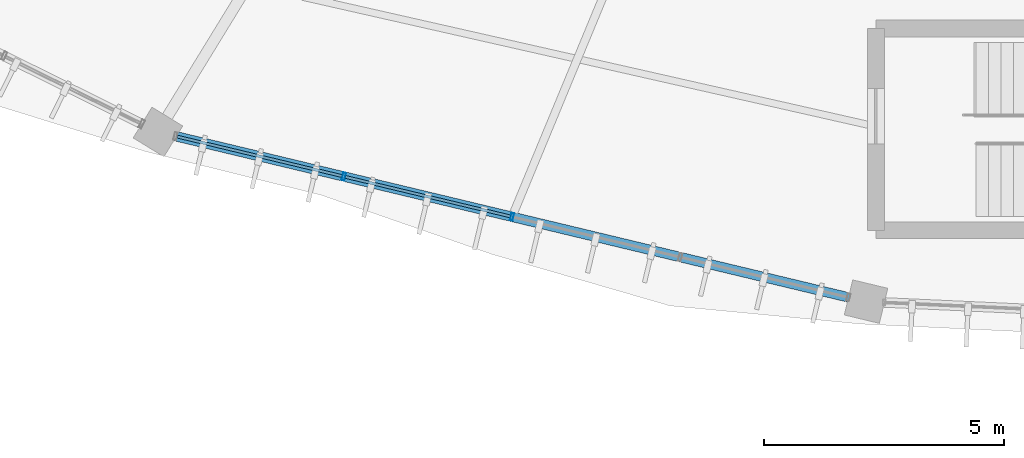
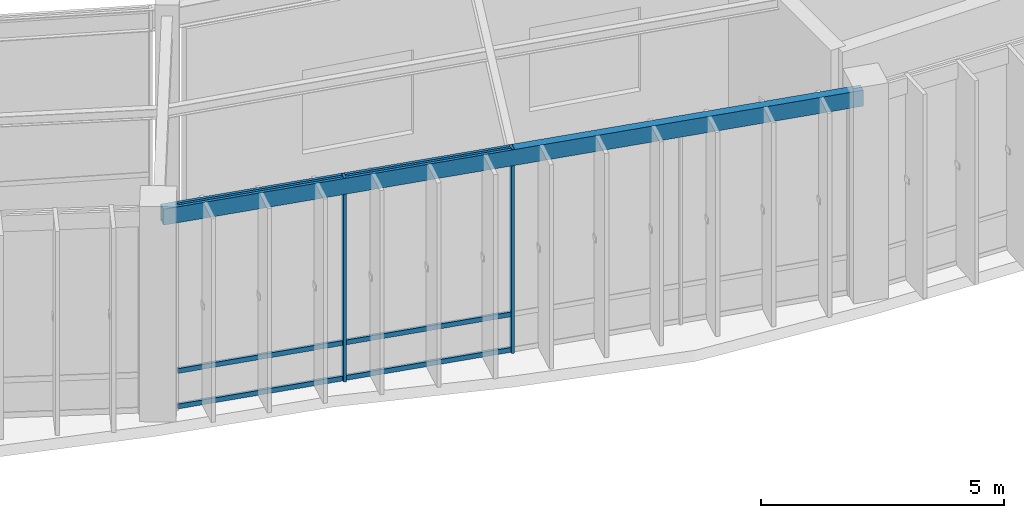
# One storey, part 56 of 157: 8 members, 1 beam, 1 element without a shape of its own.
"""IFC4 building model written with IfcOpenShell, lengths in metres."""

import ifcopenshell
import ifcopenshell.guid

model = None  # the IFC model being written
_history = None  # IfcOwnerHistory: only IFC2X3 demands one
_inside = {}  # id of a spatial element -> (the spatial element, [elements in it])
_under = {}  # id of a project, library or spatial element -> (it, [spatial elements below it])
_declared = {}  # id of a project -> (the project, [libraries it declares])
_typed = {}  # id of a type object -> (the type object, [elements of that type])
_made_of = {}  # id of a material, layer set ... -> (it, [elements and type objects made of it])


def new_model(schema):
    """Start an empty IFC model of exactly this schema.

    Asked for "IFC4X3", IfcOpenShell would pick the latest addendum, in which some entities
    have other attributes; the version numbers below select the first issue.
    IFC2X3 requires an IfcOwnerHistory on every rooted entity: one is made here for all.
    """
    global model, _history
    if schema == "IFC4X3":
        model = ifcopenshell.file(schema_version=(4, 3, 0, 0))
    else:
        model = ifcopenshell.file(schema=schema)
    _inside.clear()
    _under.clear()
    _declared.clear()
    _typed.clear()
    _made_of.clear()
    _history = None
    if model.schema == "IFC2X3":
        org = make("IfcOrganization", Name="unknown")
        user = make(
            "IfcPersonAndOrganization",
            ThePerson=make("IfcPerson", FamilyName="unknown"),
            TheOrganization=org,
        )
        app = make(
            "IfcApplication",
            ApplicationDeveloper=org,
            Version="unknown",
            ApplicationFullName="unknown",
            ApplicationIdentifier="unknown",
        )
        _history = make(
            "IfcOwnerHistory",
            OwningUser=user,
            OwningApplication=app,
            ChangeAction="ADDED",
            CreationDate=0,
        )
    return model


def make(cls, **values):
    """One entity of the class cls with the attributes given. An attribute that is None is left unset."""
    return model.create_entity(
        cls, **{name: value for name, value in values.items() if value is not None}
    )


def rooted(cls, **values):
    """An entity with a GlobalId (a new one), such as an element, a storey or a relation."""
    return make(cls, GlobalId=ifcopenshell.guid.new(), OwnerHistory=_history, **values)


def si_unit(unit_type, name, prefix=None):
    """IfcSIUnit, for example si_unit("LENGTHUNIT", "METRE", prefix="MILLI")."""
    return make("IfcSIUnit", UnitType=unit_type, Prefix=prefix, Name=name)


def assignment(units):
    """IfcUnitAssignment: the units of a project."""
    return None if units is None else make("IfcUnitAssignment", Units=units)


def point(xyz):
    """IfcCartesianPoint."""
    return None if xyz is None else make("IfcCartesianPoint", Coordinates=xyz)


def direction(xyz):
    """IfcDirection."""
    return None if xyz is None else make("IfcDirection", DirectionRatios=xyz)


def frame(location, z_axis=None, x_axis=None):
    """IfcAxis2Placement3D, a coordinate frame: its origin and axes. An axis left out is left unset."""
    return make(
        "IfcAxis2Placement3D",
        Location=point(location),
        Axis=direction(z_axis),
        RefDirection=direction(x_axis),
    )


def frame_2d(location, x_axis=None):
    """IfcAxis2Placement2D, a coordinate frame in the plane: its origin and x axis."""
    return make(
        "IfcAxis2Placement2D", Location=point(location), RefDirection=direction(x_axis)
    )


def origin():
    """The frame at (0, 0, 0) with its axes left unset."""
    return frame((0.0, 0.0, 0.0))


def origin_2d():
    """The frame at (0, 0) in the plane with its x axis left unset."""
    return frame_2d((0.0, 0.0))


def place(relative_to, where):
    """IfcLocalPlacement: puts the frame where relative to a parent placement (None: the world)."""
    return make(
        "IfcLocalPlacement", PlacementRelTo=relative_to, RelativePlacement=where
    )


def context(
    kind, dimensions, precision=None, world=None, true_north=None, identifier=None
):
    """IfcGeometricRepresentationContext, for example the 3D "Model" context."""
    return make(
        "IfcGeometricRepresentationContext",
        ContextIdentifier=identifier,
        ContextType=kind,
        CoordinateSpaceDimension=dimensions,
        Precision=precision,
        WorldCoordinateSystem=world,
        TrueNorth=true_north,
    )


def subcontext(parent, identifier, kind, view, scale=None):
    """IfcGeometricRepresentationSubContext, for example "Body" below "Model"."""
    return make(
        "IfcGeometricRepresentationSubContext",
        ContextIdentifier=identifier,
        ContextType=kind,
        ParentContext=parent,
        TargetScale=scale,
        TargetView=view,
    )


def project(units=None, contexts=None):
    """IfcProject with its units and contexts."""
    return rooted(
        "IfcProject",
        Name="project",
        RepresentationContexts=contexts,
        UnitsInContext=assignment(units),
    )


def spatial(cls, under=None, at=None, **own):
    """A site, building, storey or space (cls), placed at a placement, below another one or the project."""
    s = rooted(cls, ObjectPlacement=at, **own)
    if under is not None:
        _under.setdefault(under.id(), (under, []))[1].append(s)
    return s


def profile(cls, at=None, kind="AREA", **sizes):
    """A parametric profile (cls). Its sizes go by their IFC names, for example OverallWidth=200.0."""
    return make(cls, ProfileType=kind, Position=at, **sizes)


def hollow_rectangle(**sizes):
    """IfcRectangleHollowProfileDef."""
    return profile("IfcRectangleHollowProfileDef", **sizes)


def extrude(swept, where, along, depth):
    """IfcExtrudedAreaSolid: the profile swept, set in the frame where, extruded along a direction by depth."""
    return make(
        "IfcExtrudedAreaSolid",
        SweptArea=swept,
        Position=where,
        ExtrudedDirection=direction(along),
        Depth=depth,
    )


def shape(context_of_items, identifier, shape_type, items):
    """IfcShapeRepresentation: the items that make up one representation, for example the "Body"."""
    return make(
        "IfcShapeRepresentation",
        ContextOfItems=context_of_items,
        RepresentationIdentifier=identifier,
        RepresentationType=shape_type,
        Items=items,
    )


def material(Name=None, Category=None):
    """IfcMaterial."""
    return make("IfcMaterial", Name=Name, Category=Category)


def material_profile(
    of_material, cross_section, Name=None, Category=None, Priority=None
):
    """IfcMaterialProfile: a cross section and its material."""
    return make(
        "IfcMaterialProfile",
        Name=Name,
        Material=of_material,
        Profile=cross_section,
        Priority=Priority,
        Category=Category,
    )


def profile_set(profiles, Name=None, composite=None):
    """IfcMaterialProfileSet."""
    return make(
        "IfcMaterialProfileSet",
        Name=Name,
        MaterialProfiles=profiles,
        CompositeProfile=composite,
    )


def made_of(thing, what):
    """Note that an element or type object is made of a material, layer set ...; save() writes the relation."""
    if what is not None:
        _made_of.setdefault(what.id(), (what, []))[1].append(thing)
    return thing


def type_object(cls, material=None, **own):
    """A type object (cls), such as IfcWallType, which elements share."""
    return made_of(rooted(cls, **own), material)


def element(
    cls,
    number,
    at=None,
    inside=None,
    cuts=None,
    type_object=None,
    material=None,
    context=None,
    identifier="Body",
    shape_type=None,
    held_by="IfcProductDefinitionShape",
    body=None,
    shapes=None,
    **own,
):
    """One element of the class cls, such as IfcWall. Its Tag is "e" and its number.

    at: its placement. inside: the storey or other place that contains it. cuts: it is an
    opening in that element (IfcRelVoidsElement). A single representation is given by context,
    identifier, shape_type and body (its items); several are given by shapes. held_by: the class
    of the entity that holds the representations. save() writes the other relations.
    """
    e = rooted(cls, Tag="e%d" % number, ObjectPlacement=at, **own)
    if body is not None:
        shapes = [shape(context, identifier, shape_type, body)]
    if shapes is not None:
        e.Representation = make(held_by, Representations=shapes)
    if inside is not None:
        _inside.setdefault(inside.id(), (inside, []))[1].append(e)
    if cuts is not None:
        rooted(
            "IfcRelVoidsElement", RelatingBuildingElement=cuts, RelatedOpeningElement=e
        )
    if type_object is not None:
        _typed.setdefault(type_object.id(), (type_object, []))[1].append(e)
    return made_of(e, material)


def aggregate(whole, parts):
    """IfcRelAggregates: a whole, such as a stair, and the parts it consists of."""
    return rooted("IfcRelAggregates", RelatingObject=whole, RelatedObjects=parts)


def save(model, path):
    """Write the relations noted so far, then the file.

    IfcRelAggregates (storeys below a building ...), IfcRelContainedInSpatialStructure (elements
    in a storey), IfcRelDefinesByType, IfcRelAssociatesMaterial and IfcRelDeclares: one each for
    every whole, place, type object, material and project.
    """
    for whole, parts in _under.values():
        aggregate(whole, parts)
    for where, things in _inside.values():
        rooted(
            "IfcRelContainedInSpatialStructure",
            RelatedElements=things,
            RelatingStructure=where,
        )
    for kind, things in _typed.values():
        rooted("IfcRelDefinesByType", RelatedObjects=things, RelatingType=kind)
    for what, things in _made_of.values():
        rooted("IfcRelAssociatesMaterial", RelatedObjects=things, RelatingMaterial=what)
    for by, libraries in _declared.values():
        rooted("IfcRelDeclares", RelatingContext=by, RelatedDefinitions=libraries)
    model.write(path)


model = new_model("IFC4")

# Units and contexts
model_context = context("Model", 3, precision=1e-05, world=origin(), true_north=direction((0.0, 1.0)))
body_context = subcontext(model_context, "Body", "Model", "MODEL_VIEW")
ifc_project = project(units=[si_unit("LENGTHUNIT", "METRE"), si_unit("AREAUNIT", "SQUARE_METRE"), si_unit("VOLUMEUNIT", "CUBIC_METRE"), si_unit("PLANEANGLEUNIT", "RADIAN"), si_unit("MASSUNIT", "GRAM", prefix="KILO"), si_unit("THERMODYNAMICTEMPERATUREUNIT", "KELVIN"), si_unit("POWERUNIT", "WATT")], contexts=[model_context])

# Site, building, storey
site_placement = place(None, origin())
site = spatial("IfcSite", under=ifc_project, at=site_placement, CompositionType="ELEMENT")
building_placement = place(site_placement, origin())
building = spatial("IfcBuilding", under=site, at=building_placement, Name="Darbajah Civic Hall", CompositionType="ELEMENT")
storey_placement = place(building_placement, origin())
storey = spatial("IfcBuildingStorey", under=building, at=storey_placement, Name="L00", CompositionType="ELEMENT", Elevation=0.0)

# Curtain wall, members
ifc_material_1 = material(Name="Anodised Bronze Aluminium and Low-E Glazing", Category="aluminium")
curtain_wall_type = type_object("IfcCurtainWallType", Name="Unitised Curtain Wall CW-13 14400x5100", PredefinedType="USERDEFINED", material=ifc_material_1)
curtain_wall_placement = place(storey_placement, origin())
curtain_wall = element("IfcCurtainWall", 1, at=curtain_wall_placement, inside=storey, type_object=curtain_wall_type, Name="L00 unitised curtain wall CW-V1O-L00-13", ObjectType="UNITISED CURTAIN WALL", PredefinedType="USERDEFINED")
ifc_material_2 = material(Name="Anodised Bronze Aluminium", Category="aluminium")
ifc_material_profile_1 = material_profile(ifc_material_2, hollow_rectangle(XDim=0.06005859375, YDim=0.159912109375, WallThickness=0.00341796875, at=origin_2d()), Name="ALU MULLION 60x160")
ifc_profile_set_1 = profile_set([ifc_material_profile_1], Name="Anodised Bronze Aluminium")
member_type_1 = type_object("IfcMemberType", Name="ALU MULLION 60x160", PredefinedType="MULLION", material=ifc_profile_set_1)
member_1_placement = place(storey_placement, frame((66.3212890625, 63.72021484375, 0.0), z_axis=(0.0, 0.0, 1.0), x_axis=(0.972492018808, -0.232936200179, 0.0)))
member_1 = element("IfcMember", 2, at=member_1_placement, type_object=member_type_1, Name="CW-V1O-L00-13 mullion 2", PredefinedType="MULLION", context=body_context, shape_type="SweptSolid", body=[
    extrude(hollow_rectangle(XDim=0.06005859375, YDim=0.159912109375, WallThickness=0.00341796875, at=origin_2d()), origin(), (0.0, 0.0, 1.0), 5.1201171875),
])
member_2_placement = place(storey_placement, frame((69.823486328125, 62.881103515625, 0.0), z_axis=(0.0, 0.0, 1.0), x_axis=(0.972492018808, -0.232936200179, 0.0)))
member_2 = element("IfcMember", 3, at=member_2_placement, type_object=member_type_1, Name="CW-V1O-L00-13 mullion 3", PredefinedType="MULLION", context=body_context, shape_type="SweptSolid", body=[
    extrude(hollow_rectangle(XDim=0.06005859375, YDim=0.159912109375, WallThickness=0.00341796875, at=origin_2d()), origin(), (0.0, 0.0, 1.0), 5.1201171875),
])
ifc_material_profile_2 = material_profile(ifc_material_2, hollow_rectangle(XDim=0.06005859375, YDim=0.1201171875, WallThickness=0.003173828125, at=origin_2d()), Name="ALU TRANSOM 60x120")
ifc_profile_set_2 = profile_set([ifc_material_profile_2], Name="Anodised Bronze Aluminium")
member_type_2 = type_object("IfcMemberType", Name="ALU TRANSOM 60x120", PredefinedType="USERDEFINED", material=ifc_profile_set_2)
member_3_placement = place(storey_placement, frame((62.853271484375, 64.551025390625, 0.06005859375), z_axis=(0.97249451467, -0.232925779889, 0.0), x_axis=(0.232925779889, 0.97249451467, 0.0)))
member_3 = element("IfcMember", 4, at=member_3_placement, type_object=member_type_2, Name="CW-V1O-L00-13 transom 1.1", ObjectType="TRANSOM", PredefinedType="USERDEFINED", context=body_context, shape_type="SweptSolid", body=[
    extrude(hollow_rectangle(XDim=0.06005859375, YDim=0.1201171875, WallThickness=0.003173828125, at=origin_2d()), origin(), (0.0, 0.0, 1.0), 3.53125),
])
member_4_placement = place(storey_placement, frame((62.853271484375, 64.551025390625, 0.949951171875), z_axis=(0.97249451467, -0.232925779889, 0.0), x_axis=(0.232925779889, 0.97249451467, 0.0)))
member_4 = element("IfcMember", 5, at=member_4_placement, type_object=member_type_2, Name="CW-V1O-L00-13 transom 1.2", ObjectType="TRANSOM", PredefinedType="USERDEFINED", context=body_context, shape_type="SweptSolid", body=[
    extrude(hollow_rectangle(XDim=0.06005859375, YDim=0.1201171875, WallThickness=0.003173828125, at=origin_2d()), origin(), (0.0, 0.0, 1.0), 3.53125),
])
member_5_placement = place(storey_placement, frame((62.853271484375, 64.551025390625, 5.06005859375), z_axis=(0.97249451467, -0.232925779889, 0.0), x_axis=(0.232925779889, 0.97249451467, 0.0)))
member_5 = element("IfcMember", 6, at=member_5_placement, type_object=member_type_2, Name="CW-V1O-L00-13 transom 1.3", ObjectType="TRANSOM", PredefinedType="USERDEFINED", context=body_context, shape_type="SweptSolid", body=[
    extrude(hollow_rectangle(XDim=0.06005859375, YDim=0.1201171875, WallThickness=0.003173828125, at=origin_2d()), origin(), (0.0, 0.0, 1.0), 3.53125),
])
member_6_placement = place(storey_placement, frame((66.35546875, 63.7119140625, 0.06005859375), z_axis=(0.972490763252, -0.232941441976, 0.0), x_axis=(0.232941441976, 0.972490763252, 0.0)))
member_6 = element("IfcMember", 7, at=member_6_placement, type_object=member_type_2, Name="CW-V1O-L00-13 transom 2.1", ObjectType="TRANSOM", PredefinedType="USERDEFINED", context=body_context, shape_type="SweptSolid", body=[
    extrude(hollow_rectangle(XDim=0.06005859375, YDim=0.1201171875, WallThickness=0.003173828125, at=origin_2d()), origin(), (0.0, 0.0, 1.0), 3.531005859375),
])
member_7_placement = place(storey_placement, frame((66.35546875, 63.7119140625, 0.949951171875), z_axis=(0.972490763252, -0.232941441976, 0.0), x_axis=(0.232941441976, 0.972490763252, 0.0)))
member_7 = element("IfcMember", 8, at=member_7_placement, type_object=member_type_2, Name="CW-V1O-L00-13 transom 2.2", ObjectType="TRANSOM", PredefinedType="USERDEFINED", context=body_context, shape_type="SweptSolid", body=[
    extrude(hollow_rectangle(XDim=0.06005859375, YDim=0.1201171875, WallThickness=0.003173828125, at=origin_2d()), origin(), (0.0, 0.0, 1.0), 3.531005859375),
])
member_8_placement = place(storey_placement, frame((66.35546875, 63.7119140625, 5.06005859375), z_axis=(0.972490763252, -0.232941441976, 0.0), x_axis=(0.232941441976, 0.972490763252, 0.0)))
member_8 = element("IfcMember", 9, at=member_8_placement, type_object=member_type_2, Name="CW-V1O-L00-13 transom 2.3", ObjectType="TRANSOM", PredefinedType="USERDEFINED", context=body_context, shape_type="SweptSolid", body=[
    extrude(hollow_rectangle(XDim=0.06005859375, YDim=0.1201171875, WallThickness=0.003173828125, at=origin_2d()), origin(), (0.0, 0.0, 1.0), 3.531005859375),
])
aggregate(curtain_wall, [member_1, member_2, member_3, member_4, member_5, member_6, member_7, member_8])

# Beam
ifc_material_3 = material(Name="Steel S355JR", Category="steel")
ifc_material_profile_3 = material_profile(ifc_material_3, hollow_rectangle(XDim=0.199951171875, YDim=0.39990234375, WallThickness=0.013916015625, at=origin_2d()), Name="RHS 400x200x14")
ifc_profile_set_3 = profile_set([ifc_material_profile_3], Name="Steel S355JR")
beam_type = type_object("IfcBeamType", Name="RHS 400x200x14", PredefinedType="SPANDREL", material=ifc_profile_set_3)
beam_placement = place(storey_placement, frame((62.530517578125, 64.62841796875, 4.919921875), z_axis=(0.972477948632, -0.232994934332, 0.0), x_axis=(0.232994934332, 0.972477948632, 0.0)))
element("IfcBeam", 10, at=beam_placement, inside=storey, type_object=beam_type, Name="L00 beam SP-RHS400", PredefinedType="SPANDREL", context=body_context, shape_type="SweptSolid", body=[
    extrude(hollow_rectangle(XDim=0.199951171875, YDim=0.39990234375, WallThickness=0.013916015625, at=origin_2d()), origin(), (0.0, 0.0, 1.0), 14.998779296875),
])

save(model, "model.ifc")
